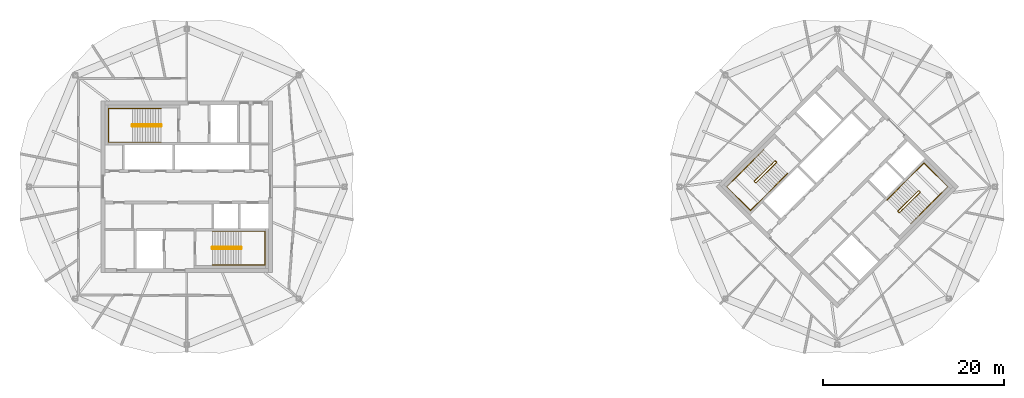
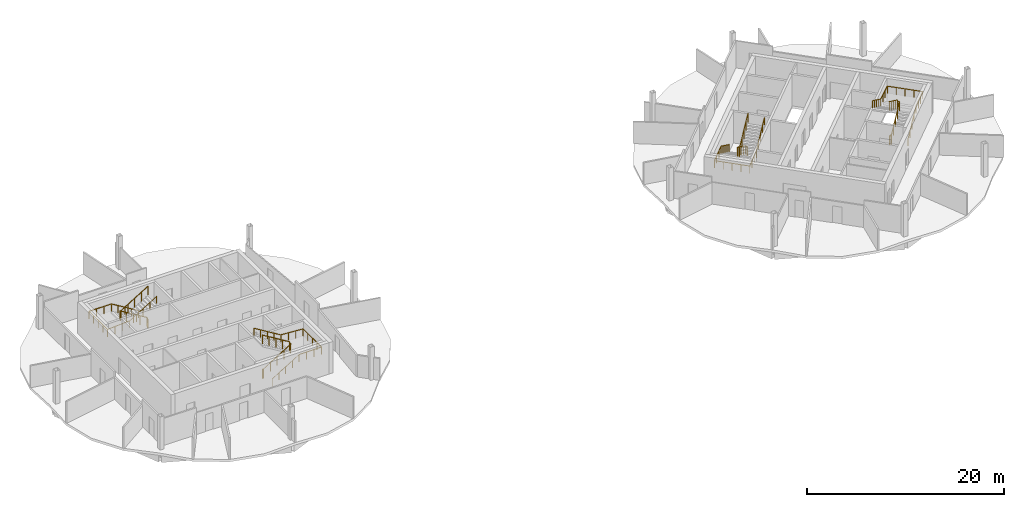
# One storey, part 11 of 11: 8 railings.
"""IFC4 building model written with IfcOpenShell, lengths in metres."""

from ifc_helpers import new_model, si_unit, direction, frame, origin, origin_2d, place, context, subcontext, project, spatial, circle, extrude, material, type_object, element, save


model = new_model("IFC4")

# Units and contexts
model_context = context("Model", 3, precision=1e-05, world=origin(), true_north=direction((0.0, 1.0)))
body_context = subcontext(model_context, "Body", "Model", "MODEL_VIEW")
ifc_project = project(units=[si_unit("LENGTHUNIT", "METRE"), si_unit("AREAUNIT", "SQUARE_METRE"), si_unit("VOLUMEUNIT", "CUBIC_METRE"), si_unit("PLANEANGLEUNIT", "RADIAN"), si_unit("MASSUNIT", "GRAM", prefix="KILO")], contexts=[model_context])

# Site, building, storey
site_placement = place(None, origin())
site = spatial("IfcSite", under=ifc_project, at=site_placement, CompositionType="ELEMENT")
building_placement = place(site_placement, origin())
building = spatial("IfcBuilding", under=site, at=building_placement, Name="Ogive Gate Towers", CompositionType="ELEMENT")
storey_placement = place(building_placement, frame((0.0, 0.0, 289.800048828125)))
storey = spatial("IfcBuildingStorey", under=building, at=storey_placement, Name="L68", CompositionType="ELEMENT", Elevation=289.800048828125)

# Railings
ifc_material = material(Name="Stainless steel", Category="steel")
railing_type_1 = type_object("IfcRailingType", Name="Stair guard 1100", PredefinedType="GUARDRAIL", material=ifc_material)
railing_1_placement = place(storey_placement, frame((-38.81494140625, 6.860107421875, 0.0)))
element("IfcRailing", 1, at=railing_1_placement, inside=storey, type_object=railing_type_1, Name="L68 ST1 stair guard 1", PredefinedType="GUARDRAIL", context=body_context, shape_type="SweptSolid", body=[
    extrude(circle(Radius=0.02392578125, at=origin_2d()), frame((0.0, 0.0, 1.076171875), z_axis=(0.0, -1.0, 0.0), x_axis=(1.0, 0.0, 0.0)), (0.0, 0.0, 1.0), 0.14501953125),
    extrude(circle(Radius=0.02392578125, at=origin_2d()), frame((0.0, -0.14501953125, 1.076171875), z_axis=(-0.187693211448, 0.730630159683, 0.656468451746), x_axis=(-0.968551454522, -0.24881334358, 0.0)), (0.0, 0.0, 1.0), 0.2666015625),
    extrude(circle(Radius=0.02392578125, at=origin_2d()), frame((-0.050048828125, 0.0498046875, 1.2509765625), z_axis=(-0.854229115434, 0.0, 0.519896738156), x_axis=(0.0, -1.0, 0.0)), (0.0, 0.0, 1.0), 3.702392578125),
    extrude(circle(Radius=0.02392578125, at=origin_2d()), frame((-3.212646484375, 0.0498046875, 3.17578125), z_axis=(-0.707106781187, -0.707106781187, 0.0), x_axis=(0.707106781187, -0.707106781187, 0.0)), (0.0, 0.0, 1.0), 0.0703125),
    extrude(circle(Radius=0.02392578125, at=origin_2d()), frame((-3.262451171875, 0.0, 3.17578125), z_axis=(0.0, -1.0, 0.0), x_axis=(1.0, 0.0, 0.0)), (0.0, 0.0, 1.0), 0.14501953125),
    extrude(circle(Radius=0.02392578125, at=origin_2d()), frame((-3.262451171875, -0.14501953125, 3.17578125), z_axis=(0.263862480399, -0.265155923931, 0.927399011991), x_axis=(0.708833529934, 0.705375805398, 0.0)), (0.0, 0.0, 1.0), 0.188720703125),
    extrude(circle(Radius=0.02392578125, at=origin_2d()), frame((-3.212646484375, -0.195068359375, 3.35107421875), z_axis=(0.854199828955, 0.0, 0.519944854973), x_axis=(0.0, 1.0, 0.0)), (0.0, 0.0, 1.0), 3.702392578125),
    extrude(circle(Radius=0.02099609375, at=origin_2d()), origin(), (0.0, 0.0, 1.0), 1.052001953125),
    extrude(circle(Radius=0.02099609375, at=origin_2d()), frame((0.0, -0.14501953125, 0.0)), (0.0, 0.0, 1.0), 1.052001953125),
    extrude(circle(Radius=0.02099609375, at=origin_2d()), frame((-0.050048828125, 0.0498046875, 0.175048828125)), (0.0, 0.0, 1.0), 1.052001953125),
    extrude(circle(Radius=0.02099609375, at=origin_2d()), frame((-0.8408203125, 0.0498046875, 0.65625)), (0.0, 0.0, 1.0), 1.052001953125),
    extrude(circle(Radius=0.02099609375, at=origin_2d()), frame((-1.63134765625, 0.0498046875, 1.137451171875)), (0.0, 0.0, 1.0), 1.052001953125),
    extrude(circle(Radius=0.02099609375, at=origin_2d()), frame((-2.421875, 0.0498046875, 1.61865234375)), (0.0, 0.0, 1.0), 1.052001953125),
    extrude(circle(Radius=0.02099609375, at=origin_2d()), frame((-3.212646484375, 0.0498046875, 2.099853515625)), (0.0, 0.0, 1.0), 1.052001953125),
    extrude(circle(Radius=0.02099609375, at=origin_2d()), frame((-3.262451171875, 0.0, 2.099853515625)), (0.0, 0.0, 1.0), 1.052001953125),
    extrude(circle(Radius=0.02099609375, at=origin_2d()), frame((-3.262451171875, -0.14501953125, 2.099853515625)), (0.0, 0.0, 1.0), 1.052001953125),
    extrude(circle(Radius=0.02099609375, at=origin_2d()), frame((-3.212646484375, -0.195068359375, 2.27490234375)), (0.0, 0.0, 1.0), 1.052001953125),
    extrude(circle(Radius=0.02099609375, at=origin_2d()), frame((-2.421875, -0.195068359375, 2.756103515625)), (0.0, 0.0, 1.0), 1.052001953125),
    extrude(circle(Radius=0.02099609375, at=origin_2d()), frame((-1.63134765625, -0.195068359375, 3.2373046875)), (0.0, 0.0, 1.0), 1.052001953125),
    extrude(circle(Radius=0.02099609375, at=origin_2d()), frame((-0.8408203125, -0.195068359375, 3.71875)), (0.0, 0.0, 1.0), 1.052001953125),
    extrude(circle(Radius=0.02099609375, at=origin_2d()), frame((-0.050048828125, -0.195068359375, 4.199951171875)), (0.0, 0.0, 1.0), 1.052001953125),
])
railing_2_placement = place(storey_placement, frame((-33.18505859375, -6.860107421875, 0.0)))
element("IfcRailing", 2, at=railing_2_placement, inside=storey, type_object=railing_type_1, Name="L68 ST2 stair guard 1", PredefinedType="GUARDRAIL", context=body_context, shape_type="SweptSolid", body=[
    extrude(circle(Radius=0.02392578125, at=origin_2d()), frame((0.0, 0.0, 1.076171875), z_axis=(0.0, 1.0, 0.0), x_axis=(-1.0, 0.0, 0.0)), (0.0, 0.0, 1.0), 0.14501953125),
    extrude(circle(Radius=0.02392578125, at=origin_2d()), frame((0.0, 0.14501953125, 1.076171875), z_axis=(0.187693211448, -0.730630159683, 0.656468451746), x_axis=(0.968551454522, 0.24881334358, 0.0)), (0.0, 0.0, 1.0), 0.2666015625),
    extrude(circle(Radius=0.02392578125, at=origin_2d()), frame((0.050048828125, -0.0498046875, 1.2509765625), z_axis=(0.854229115434, 0.0, 0.519896738156), x_axis=(0.0, 1.0, 0.0)), (0.0, 0.0, 1.0), 3.702392578125),
    extrude(circle(Radius=0.02392578125, at=origin_2d()), frame((3.212646484375, -0.0498046875, 3.17578125), z_axis=(0.707106781187, 0.707106781187, 0.0), x_axis=(-0.707106781187, 0.707106781187, 0.0)), (0.0, 0.0, 1.0), 0.0703125),
    extrude(circle(Radius=0.02392578125, at=origin_2d()), frame((3.262451171875, 0.0, 3.17578125), z_axis=(0.0, 1.0, 0.0), x_axis=(-1.0, 0.0, 0.0)), (0.0, 0.0, 1.0), 0.14501953125),
    extrude(circle(Radius=0.02392578125, at=origin_2d()), frame((3.262451171875, 0.14501953125, 3.17578125), z_axis=(-0.263862480399, 0.265155923931, 0.927399011991), x_axis=(-0.708833529934, -0.705375805398, 0.0)), (0.0, 0.0, 1.0), 0.188720703125),
    extrude(circle(Radius=0.02392578125, at=origin_2d()), frame((3.212646484375, 0.195068359375, 3.35107421875), z_axis=(-0.854199828955, 0.0, 0.519944854973), x_axis=(0.0, -1.0, 0.0)), (0.0, 0.0, 1.0), 3.702392578125),
    extrude(circle(Radius=0.02099609375, at=origin_2d()), origin(), (0.0, 0.0, 1.0), 1.052001953125),
    extrude(circle(Radius=0.02099609375, at=origin_2d()), frame((0.0, 0.14501953125, 0.0)), (0.0, 0.0, 1.0), 1.052001953125),
    extrude(circle(Radius=0.02099609375, at=origin_2d()), frame((0.050048828125, -0.0498046875, 0.175048828125)), (0.0, 0.0, 1.0), 1.052001953125),
    extrude(circle(Radius=0.02099609375, at=origin_2d()), frame((0.8408203125, -0.0498046875, 0.65625)), (0.0, 0.0, 1.0), 1.052001953125),
    extrude(circle(Radius=0.02099609375, at=origin_2d()), frame((1.63134765625, -0.0498046875, 1.137451171875)), (0.0, 0.0, 1.0), 1.052001953125),
    extrude(circle(Radius=0.02099609375, at=origin_2d()), frame((2.421875, -0.0498046875, 1.61865234375)), (0.0, 0.0, 1.0), 1.052001953125),
    extrude(circle(Radius=0.02099609375, at=origin_2d()), frame((3.212646484375, -0.0498046875, 2.099853515625)), (0.0, 0.0, 1.0), 1.052001953125),
    extrude(circle(Radius=0.02099609375, at=origin_2d()), frame((3.262451171875, 0.0, 2.099853515625)), (0.0, 0.0, 1.0), 1.052001953125),
    extrude(circle(Radius=0.02099609375, at=origin_2d()), frame((3.262451171875, 0.14501953125, 2.099853515625)), (0.0, 0.0, 1.0), 1.052001953125),
    extrude(circle(Radius=0.02099609375, at=origin_2d()), frame((3.212646484375, 0.195068359375, 2.27490234375)), (0.0, 0.0, 1.0), 1.052001953125),
    extrude(circle(Radius=0.02099609375, at=origin_2d()), frame((2.421875, 0.195068359375, 2.756103515625)), (0.0, 0.0, 1.0), 1.052001953125),
    extrude(circle(Radius=0.02099609375, at=origin_2d()), frame((1.63134765625, 0.195068359375, 3.2373046875)), (0.0, 0.0, 1.0), 1.052001953125),
    extrude(circle(Radius=0.02099609375, at=origin_2d()), frame((0.8408203125, 0.195068359375, 3.71875)), (0.0, 0.0, 1.0), 1.052001953125),
    extrude(circle(Radius=0.02099609375, at=origin_2d()), frame((0.050048828125, 0.195068359375, 4.199951171875)), (0.0, 0.0, 1.0), 1.052001953125),
])
railing_3_placement = place(storey_placement, frame((29.15869140625, 2.8603515625, 0.0)))
element("IfcRailing", 3, at=railing_3_placement, inside=storey, type_object=railing_type_1, Name="L68 ST1 stair guard 1", PredefinedType="GUARDRAIL", context=body_context, shape_type="SweptSolid", body=[
    extrude(circle(Radius=0.02392578125, at=origin_2d()), frame((0.0, 0.0, 1.076171875), z_axis=(0.707106781187, -0.707106781187, 0.0), x_axis=(0.707106781187, 0.707106781187, 0.0)), (0.0, 0.0, 1.0), 0.14501953125),
    extrude(circle(Radius=0.02392578125, at=origin_2d()), frame((0.1025390625, -0.1025390625, 1.076171875), z_axis=(-0.649075284728, 0.384501579105, 0.65639912433), x_axis=(-0.509669330572, -0.860370369942, 0.0)), (0.0, 0.0, 1.0), 0.2666015625),
    extrude(circle(Radius=0.02392578125, at=origin_2d()), frame((-0.070556640625, 0.0, 1.2509765625), z_axis=(-0.604033673362, -0.604033673362, 0.519890991352), x_axis=(0.707106781187, -0.707106781187, 0.0)), (0.0, 0.0, 1.0), 3.702392578125),
    extrude(circle(Radius=0.02392578125, at=origin_2d()), frame((-2.306884765625, -2.236328125, 3.17578125), z_axis=(0.0, -1.0, 0.0), x_axis=(1.0, 0.0, 0.0)), (0.0, 0.0, 1.0), 0.07080078125),
    extrude(circle(Radius=0.02392578125, at=origin_2d()), frame((-2.306884765625, -2.30712890625, 3.17578125), z_axis=(0.707106781187, -0.707106781187, 0.0), x_axis=(0.707106781187, 0.707106781187, 0.0)), (0.0, 0.0, 1.0), 0.14501953125),
    extrude(circle(Radius=0.02392578125, at=origin_2d()), frame((-2.204345703125, -2.40966796875, 3.17578125), z_axis=(0.374954686889, 0.0, 0.927043139654), x_axis=(0.0, 1.0, 0.0)), (0.0, 0.0, 1.0), 0.188720703125),
    extrude(circle(Radius=0.02392578125, at=origin_2d()), frame((-2.133544921875, -2.40966796875, 3.35107421875), z_axis=(0.603971079388, 0.604037022294, 0.51995981668), x_axis=(-0.707145379772, 0.707068180494, 0.0)), (0.0, 0.0, 1.0), 3.702392578125),
    extrude(circle(Radius=0.02099609375, at=origin_2d()), origin(), (0.0, 0.0, 1.0), 1.052001953125),
    extrude(circle(Radius=0.02099609375, at=origin_2d()), frame((0.1025390625, -0.1025390625, 0.0)), (0.0, 0.0, 1.0), 1.052001953125),
    extrude(circle(Radius=0.02099609375, at=origin_2d()), frame((-0.070556640625, 0.0, 0.175048828125)), (0.0, 0.0, 1.0), 1.052001953125),
    extrude(circle(Radius=0.02099609375, at=origin_2d()), frame((-0.629638671875, -0.55908203125, 0.65625)), (0.0, 0.0, 1.0), 1.052001953125),
    extrude(circle(Radius=0.02099609375, at=origin_2d()), frame((-1.188720703125, -1.1181640625, 1.137451171875)), (0.0, 0.0, 1.0), 1.052001953125),
    extrude(circle(Radius=0.02099609375, at=origin_2d()), frame((-1.747802734375, -1.67724609375, 1.61865234375)), (0.0, 0.0, 1.0), 1.052001953125),
    extrude(circle(Radius=0.02099609375, at=origin_2d()), frame((-2.306884765625, -2.236328125, 2.099853515625)), (0.0, 0.0, 1.0), 1.052001953125),
    extrude(circle(Radius=0.02099609375, at=origin_2d()), frame((-2.306884765625, -2.30712890625, 2.099853515625)), (0.0, 0.0, 1.0), 1.052001953125),
    extrude(circle(Radius=0.02099609375, at=origin_2d()), frame((-2.204345703125, -2.40966796875, 2.099853515625)), (0.0, 0.0, 1.0), 1.052001953125),
    extrude(circle(Radius=0.02099609375, at=origin_2d()), frame((-2.133544921875, -2.40966796875, 2.27490234375)), (0.0, 0.0, 1.0), 1.052001953125),
    extrude(circle(Radius=0.02099609375, at=origin_2d()), frame((-1.574462890625, -1.8505859375, 2.756103515625)), (0.0, 0.0, 1.0), 1.052001953125),
    extrude(circle(Radius=0.02099609375, at=origin_2d()), frame((-1.015625, -1.29150390625, 3.2373046875)), (0.0, 0.0, 1.0), 1.052001953125),
    extrude(circle(Radius=0.02099609375, at=origin_2d()), frame((-0.45654296875, -0.732421875, 3.71875)), (0.0, 0.0, 1.0), 1.052001953125),
    extrude(circle(Radius=0.02099609375, at=origin_2d()), frame((0.1025390625, -0.17333984375, 4.199951171875)), (0.0, 0.0, 1.0), 1.052001953125),
])
railing_4_placement = place(storey_placement, frame((42.84130859375, -2.8603515625, 0.0)))
element("IfcRailing", 4, at=railing_4_placement, inside=storey, type_object=railing_type_1, Name="L68 ST2 stair guard 1", PredefinedType="GUARDRAIL", context=body_context, shape_type="SweptSolid", body=[
    extrude(circle(Radius=0.02392578125, at=origin_2d()), frame((0.0, 0.0, 1.076171875), z_axis=(-0.707106781187, 0.707106781187, 0.0), x_axis=(-0.707106781187, -0.707106781187, 0.0)), (0.0, 0.0, 1.0), 0.14501953125),
    extrude(circle(Radius=0.02392578125, at=origin_2d()), frame((-0.1025390625, 0.1025390625, 1.076171875), z_axis=(0.649075284728, -0.384501579105, 0.65639912433), x_axis=(0.509669330572, 0.860370369942, 0.0)), (0.0, 0.0, 1.0), 0.2666015625),
    extrude(circle(Radius=0.02392578125, at=origin_2d()), frame((0.070556640625, 0.0, 1.2509765625), z_axis=(0.604033673362, 0.604033673362, 0.519890991352), x_axis=(-0.707106781187, 0.707106781187, 0.0)), (0.0, 0.0, 1.0), 3.702392578125),
    extrude(circle(Radius=0.02392578125, at=origin_2d()), frame((2.306884765625, 2.236328125, 3.17578125), z_axis=(0.0, 1.0, 0.0), x_axis=(-1.0, 0.0, 0.0)), (0.0, 0.0, 1.0), 0.07080078125),
    extrude(circle(Radius=0.02392578125, at=origin_2d()), frame((2.306884765625, 2.30712890625, 3.17578125), z_axis=(-0.707106781187, 0.707106781187, 0.0), x_axis=(-0.707106781187, -0.707106781187, 0.0)), (0.0, 0.0, 1.0), 0.14501953125),
    extrude(circle(Radius=0.02392578125, at=origin_2d()), frame((2.204345703125, 2.40966796875, 3.17578125), z_axis=(-0.374954686889, 0.0, 0.927043139654), x_axis=(0.0, -1.0, 0.0)), (0.0, 0.0, 1.0), 0.188720703125),
    extrude(circle(Radius=0.02392578125, at=origin_2d()), frame((2.133544921875, 2.40966796875, 3.35107421875), z_axis=(-0.603971079388, -0.604037022294, 0.51995981668), x_axis=(0.707145379772, -0.707068180494, 0.0)), (0.0, 0.0, 1.0), 3.702392578125),
    extrude(circle(Radius=0.02099609375, at=origin_2d()), origin(), (0.0, 0.0, 1.0), 1.052001953125),
    extrude(circle(Radius=0.02099609375, at=origin_2d()), frame((-0.1025390625, 0.1025390625, 0.0)), (0.0, 0.0, 1.0), 1.052001953125),
    extrude(circle(Radius=0.02099609375, at=origin_2d()), frame((0.070556640625, 0.0, 0.175048828125)), (0.0, 0.0, 1.0), 1.052001953125),
    extrude(circle(Radius=0.02099609375, at=origin_2d()), frame((0.629638671875, 0.55908203125, 0.65625)), (0.0, 0.0, 1.0), 1.052001953125),
    extrude(circle(Radius=0.02099609375, at=origin_2d()), frame((1.188720703125, 1.1181640625, 1.137451171875)), (0.0, 0.0, 1.0), 1.052001953125),
    extrude(circle(Radius=0.02099609375, at=origin_2d()), frame((1.747802734375, 1.67724609375, 1.61865234375)), (0.0, 0.0, 1.0), 1.052001953125),
    extrude(circle(Radius=0.02099609375, at=origin_2d()), frame((2.306884765625, 2.236328125, 2.099853515625)), (0.0, 0.0, 1.0), 1.052001953125),
    extrude(circle(Radius=0.02099609375, at=origin_2d()), frame((2.306884765625, 2.30712890625, 2.099853515625)), (0.0, 0.0, 1.0), 1.052001953125),
    extrude(circle(Radius=0.02099609375, at=origin_2d()), frame((2.204345703125, 2.40966796875, 2.099853515625)), (0.0, 0.0, 1.0), 1.052001953125),
    extrude(circle(Radius=0.02099609375, at=origin_2d()), frame((2.133544921875, 2.40966796875, 2.27490234375)), (0.0, 0.0, 1.0), 1.052001953125),
    extrude(circle(Radius=0.02099609375, at=origin_2d()), frame((1.574462890625, 1.8505859375, 2.756103515625)), (0.0, 0.0, 1.0), 1.052001953125),
    extrude(circle(Radius=0.02099609375, at=origin_2d()), frame((1.015625, 1.29150390625, 3.2373046875)), (0.0, 0.0, 1.0), 1.052001953125),
    extrude(circle(Radius=0.02099609375, at=origin_2d()), frame((0.45654296875, 0.732421875, 3.71875)), (0.0, 0.0, 1.0), 1.052001953125),
    extrude(circle(Radius=0.02099609375, at=origin_2d()), frame((-0.1025390625, 0.17333984375, 4.199951171875)), (0.0, 0.0, 1.0), 1.052001953125),
])
railing_type_2 = type_object("IfcRailingType", Name="Stair handrail 900", PredefinedType="HANDRAIL", material=ifc_material)
railing_5_placement = place(storey_placement, frame((-38.864990234375, 8.64990234375, 0.175048828125)))
element("IfcRailing", 5, at=railing_5_placement, inside=storey, type_object=railing_type_2, Name="L68 ST1 stair handrail 1", PredefinedType="HANDRAIL", context=body_context, shape_type="SweptSolid", body=[
    extrude(circle(Radius=0.02392578125, at=origin_2d()), frame((0.0, 0.0, 0.8759765625), z_axis=(-0.854229115434, 0.0, 0.519896738156), x_axis=(0.0, -1.0, 0.0)), (0.0, 0.0, 1.0), 3.702392578125),
    extrude(circle(Radius=0.02392578125, at=origin_2d()), frame((-3.16259765625, 0.0, 2.80078125), z_axis=(-1.0, 0.0, 0.0), x_axis=(0.0, -1.0, 0.0)), (0.0, 0.0, 1.0), 2.622314453125),
    extrude(circle(Radius=0.02392578125, at=origin_2d()), frame((-5.784912109375, 0.0, 2.80078125), z_axis=(0.0, -1.0, 0.0), x_axis=(1.0, 0.0, 0.0)), (0.0, 0.0, 1.0), 3.724853515625),
    extrude(circle(Radius=0.02392578125, at=origin_2d()), frame((-5.784912109375, -3.724853515625, 2.80078125), z_axis=(0.997779399599, 0.0, 0.066605328136), x_axis=(0.0, 1.0, 0.0)), (0.0, 0.0, 1.0), 2.628173828125),
    extrude(circle(Radius=0.02392578125, at=origin_2d()), frame((-3.16259765625, -3.724853515625, 2.9755859375), z_axis=(0.854199828955, 0.0, 0.519944854973), x_axis=(0.0, 1.0, 0.0)), (0.0, 0.0, 1.0), 3.702392578125),
    extrude(circle(Radius=0.02099609375, at=origin_2d()), origin(), (0.0, 0.0, 1.0), 0.851806640625),
    extrude(circle(Radius=0.02099609375, at=origin_2d()), frame((-0.79052734375, 0.0, 0.481201171875)), (0.0, 0.0, 1.0), 0.851806640625),
    extrude(circle(Radius=0.02099609375, at=origin_2d()), frame((-1.581298828125, 0.0, 0.96240234375)), (0.0, 0.0, 1.0), 0.851806640625),
    extrude(circle(Radius=0.02099609375, at=origin_2d()), frame((-2.3720703125, 0.0, 1.443603515625)), (0.0, 0.0, 1.0), 0.851806640625),
    extrude(circle(Radius=0.02099609375, at=origin_2d()), frame((-3.16259765625, 0.0, 1.9248046875)), (0.0, 0.0, 1.0), 0.851806640625),
    extrude(circle(Radius=0.02099609375, at=origin_2d()), frame((-4.03662109375, 0.0, 1.9248046875)), (0.0, 0.0, 1.0), 0.851806640625),
    extrude(circle(Radius=0.02099609375, at=origin_2d()), frame((-4.910888671875, 0.0, 1.9248046875)), (0.0, 0.0, 1.0), 0.851806640625),
    extrude(circle(Radius=0.02099609375, at=origin_2d()), frame((-5.784912109375, 0.0, 1.9248046875)), (0.0, 0.0, 1.0), 0.851806640625),
    extrude(circle(Radius=0.02099609375, at=origin_2d()), frame((-5.784912109375, -0.93115234375, 1.9248046875)), (0.0, 0.0, 1.0), 0.851806640625),
    extrude(circle(Radius=0.02099609375, at=origin_2d()), frame((-5.784912109375, -1.8623046875, 1.9248046875)), (0.0, 0.0, 1.0), 0.851806640625),
    extrude(circle(Radius=0.02099609375, at=origin_2d()), frame((-5.784912109375, -2.793701171875, 1.9248046875)), (0.0, 0.0, 1.0), 0.851806640625),
    extrude(circle(Radius=0.02099609375, at=origin_2d()), frame((-5.784912109375, -3.724853515625, 1.9248046875)), (0.0, 0.0, 1.0), 0.851806640625),
    extrude(circle(Radius=0.02099609375, at=origin_2d()), frame((-4.910888671875, -3.724853515625, 1.983154296875)), (0.0, 0.0, 1.0), 0.851806640625),
    extrude(circle(Radius=0.02099609375, at=origin_2d()), frame((-4.03662109375, -3.724853515625, 2.04150390625)), (0.0, 0.0, 1.0), 0.851806640625),
    extrude(circle(Radius=0.02099609375, at=origin_2d()), frame((-3.16259765625, -3.724853515625, 2.099853515625)), (0.0, 0.0, 1.0), 0.851806640625),
    extrude(circle(Radius=0.02099609375, at=origin_2d()), frame((-2.3720703125, -3.724853515625, 2.5810546875)), (0.0, 0.0, 1.0), 0.851806640625),
    extrude(circle(Radius=0.02099609375, at=origin_2d()), frame((-1.581298828125, -3.724853515625, 3.0625)), (0.0, 0.0, 1.0), 0.851806640625),
    extrude(circle(Radius=0.02099609375, at=origin_2d()), frame((-0.79052734375, -3.724853515625, 3.543701171875)), (0.0, 0.0, 1.0), 0.851806640625),
    extrude(circle(Radius=0.02099609375, at=origin_2d()), frame((0.0, -3.724853515625, 4.02490234375)), (0.0, 0.0, 1.0), 0.851806640625),
])
railing_6_placement = place(storey_placement, frame((-33.135009765625, -8.64990234375, 0.175048828125)))
element("IfcRailing", 6, at=railing_6_placement, inside=storey, type_object=railing_type_2, Name="L68 ST2 stair handrail 1", PredefinedType="HANDRAIL", context=body_context, shape_type="SweptSolid", body=[
    extrude(circle(Radius=0.02392578125, at=origin_2d()), frame((0.0, 0.0, 0.8759765625), z_axis=(0.854229115434, 0.0, 0.519896738156), x_axis=(0.0, 1.0, 0.0)), (0.0, 0.0, 1.0), 3.702392578125),
    extrude(circle(Radius=0.02392578125, at=origin_2d()), frame((3.16259765625, 0.0, 2.80078125), z_axis=(1.0, 0.0, 0.0), x_axis=(0.0, 1.0, 0.0)), (0.0, 0.0, 1.0), 2.622314453125),
    extrude(circle(Radius=0.02392578125, at=origin_2d()), frame((5.784912109375, 0.0, 2.80078125), z_axis=(0.0, 1.0, 0.0), x_axis=(-1.0, 0.0, 0.0)), (0.0, 0.0, 1.0), 3.724853515625),
    extrude(circle(Radius=0.02392578125, at=origin_2d()), frame((5.784912109375, 3.724853515625, 2.80078125), z_axis=(-0.997779399599, 0.0, 0.066605328136), x_axis=(0.0, -1.0, 0.0)), (0.0, 0.0, 1.0), 2.628173828125),
    extrude(circle(Radius=0.02392578125, at=origin_2d()), frame((3.16259765625, 3.724853515625, 2.9755859375), z_axis=(-0.854199828955, 0.0, 0.519944854973), x_axis=(0.0, -1.0, 0.0)), (0.0, 0.0, 1.0), 3.702392578125),
    extrude(circle(Radius=0.02099609375, at=origin_2d()), origin(), (0.0, 0.0, 1.0), 0.851806640625),
    extrude(circle(Radius=0.02099609375, at=origin_2d()), frame((0.79052734375, 0.0, 0.481201171875)), (0.0, 0.0, 1.0), 0.851806640625),
    extrude(circle(Radius=0.02099609375, at=origin_2d()), frame((1.581298828125, 0.0, 0.96240234375)), (0.0, 0.0, 1.0), 0.851806640625),
    extrude(circle(Radius=0.02099609375, at=origin_2d()), frame((2.3720703125, 0.0, 1.443603515625)), (0.0, 0.0, 1.0), 0.851806640625),
    extrude(circle(Radius=0.02099609375, at=origin_2d()), frame((3.16259765625, 0.0, 1.9248046875)), (0.0, 0.0, 1.0), 0.851806640625),
    extrude(circle(Radius=0.02099609375, at=origin_2d()), frame((4.03662109375, 0.0, 1.9248046875)), (0.0, 0.0, 1.0), 0.851806640625),
    extrude(circle(Radius=0.02099609375, at=origin_2d()), frame((4.910888671875, 0.0, 1.9248046875)), (0.0, 0.0, 1.0), 0.851806640625),
    extrude(circle(Radius=0.02099609375, at=origin_2d()), frame((5.784912109375, 0.0, 1.9248046875)), (0.0, 0.0, 1.0), 0.851806640625),
    extrude(circle(Radius=0.02099609375, at=origin_2d()), frame((5.784912109375, 0.93115234375, 1.9248046875)), (0.0, 0.0, 1.0), 0.851806640625),
    extrude(circle(Radius=0.02099609375, at=origin_2d()), frame((5.784912109375, 1.8623046875, 1.9248046875)), (0.0, 0.0, 1.0), 0.851806640625),
    extrude(circle(Radius=0.02099609375, at=origin_2d()), frame((5.784912109375, 2.793701171875, 1.9248046875)), (0.0, 0.0, 1.0), 0.851806640625),
    extrude(circle(Radius=0.02099609375, at=origin_2d()), frame((5.784912109375, 3.724853515625, 1.9248046875)), (0.0, 0.0, 1.0), 0.851806640625),
    extrude(circle(Radius=0.02099609375, at=origin_2d()), frame((4.910888671875, 3.724853515625, 1.983154296875)), (0.0, 0.0, 1.0), 0.851806640625),
    extrude(circle(Radius=0.02099609375, at=origin_2d()), frame((4.03662109375, 3.724853515625, 2.04150390625)), (0.0, 0.0, 1.0), 0.851806640625),
    extrude(circle(Radius=0.02099609375, at=origin_2d()), frame((3.16259765625, 3.724853515625, 2.099853515625)), (0.0, 0.0, 1.0), 0.851806640625),
    extrude(circle(Radius=0.02099609375, at=origin_2d()), frame((2.3720703125, 3.724853515625, 2.5810546875)), (0.0, 0.0, 1.0), 0.851806640625),
    extrude(circle(Radius=0.02099609375, at=origin_2d()), frame((1.581298828125, 3.724853515625, 3.0625)), (0.0, 0.0, 1.0), 0.851806640625),
    extrude(circle(Radius=0.02099609375, at=origin_2d()), frame((0.79052734375, 3.724853515625, 3.543701171875)), (0.0, 0.0, 1.0), 0.851806640625),
    extrude(circle(Radius=0.02099609375, at=origin_2d()), frame((0.0, 3.724853515625, 4.02490234375)), (0.0, 0.0, 1.0), 0.851806640625),
])
railing_7_placement = place(storey_placement, frame((27.857666015625, 4.090576171875, 0.175048828125)))
element("IfcRailing", 7, at=railing_7_placement, inside=storey, type_object=railing_type_2, Name="L68 ST1 stair handrail 1", PredefinedType="HANDRAIL", context=body_context, shape_type="SweptSolid", body=[
    extrude(circle(Radius=0.02392578125, at=origin_2d()), frame((0.0, 0.0, 0.8759765625), z_axis=(-0.604057733063, -0.603991787895, 0.519911699505), x_axis=(0.707068180494, -0.707145379772, 0.0)), (0.0, 0.0, 1.0), 3.7021484375),
    extrude(circle(Radius=0.02392578125, at=origin_2d()), frame((-2.236328125, -2.236083984375, 2.80078125), z_axis=(-0.70706023191, -0.707153327399, 0.0), x_axis=(0.707153327399, -0.70706023191, 0.0)), (0.0, 0.0, 1.0), 2.62255859375),
    extrude(circle(Radius=0.02392578125, at=origin_2d()), frame((-4.090576171875, -4.090576171875, 2.80078125), z_axis=(0.707106781187, -0.707106781187, 0.0), x_axis=(0.707106781187, 0.707106781187, 0.0)), (0.0, 0.0, 1.0), 3.72509765625),
    extrude(circle(Radius=0.02392578125, at=origin_2d()), frame((-1.45654296875, -6.724609375, 2.80078125), z_axis=(0.705490325719, 0.705583214505, 0.066601259189), x_axis=(-0.707153327399, 0.70706023191, 0.0)), (0.0, 0.0, 1.0), 2.62841796875),
    extrude(circle(Radius=0.02392578125, at=origin_2d()), frame((0.397705078125, -4.8701171875, 2.9755859375), z_axis=(0.604037022294, 0.603971079388, 0.51995981668), x_axis=(-0.707068180494, 0.707145379772, 0.0)), (0.0, 0.0, 1.0), 3.702392578125),
    extrude(circle(Radius=0.02099609375, at=origin_2d()), origin(), (0.0, 0.0, 1.0), 0.851806640625),
    extrude(circle(Radius=0.02099609375, at=origin_2d()), frame((-0.55908203125, -0.55908203125, 0.481201171875)), (0.0, 0.0, 1.0), 0.851806640625),
    extrude(circle(Radius=0.02099609375, at=origin_2d()), frame((-1.1181640625, -1.1181640625, 0.96240234375)), (0.0, 0.0, 1.0), 0.851806640625),
    extrude(circle(Radius=0.02099609375, at=origin_2d()), frame((-1.67724609375, -1.677001953125, 1.443603515625)), (0.0, 0.0, 1.0), 0.851806640625),
    extrude(circle(Radius=0.02099609375, at=origin_2d()), frame((-2.236328125, -2.236083984375, 1.9248046875)), (0.0, 0.0, 1.0), 0.851806640625),
    extrude(circle(Radius=0.02099609375, at=origin_2d()), frame((-2.8544921875, -2.854248046875, 1.9248046875)), (0.0, 0.0, 1.0), 0.851806640625),
    extrude(circle(Radius=0.02099609375, at=origin_2d()), frame((-3.472412109375, -3.472412109375, 1.9248046875)), (0.0, 0.0, 1.0), 0.851806640625),
    extrude(circle(Radius=0.02099609375, at=origin_2d()), frame((-4.090576171875, -4.090576171875, 1.9248046875)), (0.0, 0.0, 1.0), 0.851806640625),
    extrude(circle(Radius=0.02099609375, at=origin_2d()), frame((-3.43212890625, -4.7490234375, 1.9248046875)), (0.0, 0.0, 1.0), 0.851806640625),
    extrude(circle(Radius=0.02099609375, at=origin_2d()), frame((-2.7734375, -5.40771484375, 1.9248046875)), (0.0, 0.0, 1.0), 0.851806640625),
    extrude(circle(Radius=0.02099609375, at=origin_2d()), frame((-2.114990234375, -6.066162109375, 1.9248046875)), (0.0, 0.0, 1.0), 0.851806640625),
    extrude(circle(Radius=0.02099609375, at=origin_2d()), frame((-1.45654296875, -6.724609375, 1.9248046875)), (0.0, 0.0, 1.0), 0.851806640625),
    extrude(circle(Radius=0.02099609375, at=origin_2d()), frame((-0.83837890625, -6.1064453125, 1.983154296875)), (0.0, 0.0, 1.0), 0.851806640625),
    extrude(circle(Radius=0.02099609375, at=origin_2d()), frame((-0.220458984375, -5.48828125, 2.04150390625)), (0.0, 0.0, 1.0), 0.851806640625),
    extrude(circle(Radius=0.02099609375, at=origin_2d()), frame((0.397705078125, -4.8701171875, 2.099853515625)), (0.0, 0.0, 1.0), 0.851806640625),
    extrude(circle(Radius=0.02099609375, at=origin_2d()), frame((0.956787109375, -4.31103515625, 2.5810546875)), (0.0, 0.0, 1.0), 0.851806640625),
    extrude(circle(Radius=0.02099609375, at=origin_2d()), frame((1.515869140625, -3.751953125, 3.0625)), (0.0, 0.0, 1.0), 0.851806640625),
    extrude(circle(Radius=0.02099609375, at=origin_2d()), frame((2.074951171875, -3.193115234375, 3.543701171875)), (0.0, 0.0, 1.0), 0.851806640625),
    extrude(circle(Radius=0.02099609375, at=origin_2d()), frame((2.634033203125, -2.634033203125, 4.02490234375)), (0.0, 0.0, 1.0), 0.851806640625),
])
railing_8_placement = place(storey_placement, frame((44.142333984375, -4.090576171875, 0.175048828125)))
element("IfcRailing", 8, at=railing_8_placement, inside=storey, type_object=railing_type_2, Name="L68 ST2 stair handrail 1", PredefinedType="HANDRAIL", context=body_context, shape_type="SweptSolid", body=[
    extrude(circle(Radius=0.02392578125, at=origin_2d()), frame((0.0, 0.0, 0.8759765625), z_axis=(0.604057733063, 0.603991787895, 0.519911699505), x_axis=(-0.707068180494, 0.707145379772, 0.0)), (0.0, 0.0, 1.0), 3.7021484375),
    extrude(circle(Radius=0.02392578125, at=origin_2d()), frame((2.236328125, 2.236083984375, 2.80078125), z_axis=(0.70706023191, 0.707153327399, 0.0), x_axis=(-0.707153327399, 0.70706023191, 0.0)), (0.0, 0.0, 1.0), 2.62255859375),
    extrude(circle(Radius=0.02392578125, at=origin_2d()), frame((4.090576171875, 4.090576171875, 2.80078125), z_axis=(-0.707106781187, 0.707106781187, 0.0), x_axis=(-0.707106781187, -0.707106781187, 0.0)), (0.0, 0.0, 1.0), 3.72509765625),
    extrude(circle(Radius=0.02392578125, at=origin_2d()), frame((1.45654296875, 6.724609375, 2.80078125), z_axis=(-0.705490325719, -0.705583214505, 0.066601259189), x_axis=(0.707153327399, -0.70706023191, 0.0)), (0.0, 0.0, 1.0), 2.62841796875),
    extrude(circle(Radius=0.02392578125, at=origin_2d()), frame((-0.397705078125, 4.8701171875, 2.9755859375), z_axis=(-0.604037022294, -0.603971079388, 0.51995981668), x_axis=(0.707068180494, -0.707145379772, 0.0)), (0.0, 0.0, 1.0), 3.702392578125),
    extrude(circle(Radius=0.02099609375, at=origin_2d()), origin(), (0.0, 0.0, 1.0), 0.851806640625),
    extrude(circle(Radius=0.02099609375, at=origin_2d()), frame((0.55908203125, 0.55908203125, 0.481201171875)), (0.0, 0.0, 1.0), 0.851806640625),
    extrude(circle(Radius=0.02099609375, at=origin_2d()), frame((1.1181640625, 1.1181640625, 0.96240234375)), (0.0, 0.0, 1.0), 0.851806640625),
    extrude(circle(Radius=0.02099609375, at=origin_2d()), frame((1.67724609375, 1.677001953125, 1.443603515625)), (0.0, 0.0, 1.0), 0.851806640625),
    extrude(circle(Radius=0.02099609375, at=origin_2d()), frame((2.236328125, 2.236083984375, 1.9248046875)), (0.0, 0.0, 1.0), 0.851806640625),
    extrude(circle(Radius=0.02099609375, at=origin_2d()), frame((2.8544921875, 2.854248046875, 1.9248046875)), (0.0, 0.0, 1.0), 0.851806640625),
    extrude(circle(Radius=0.02099609375, at=origin_2d()), frame((3.472412109375, 3.472412109375, 1.9248046875)), (0.0, 0.0, 1.0), 0.851806640625),
    extrude(circle(Radius=0.02099609375, at=origin_2d()), frame((4.090576171875, 4.090576171875, 1.9248046875)), (0.0, 0.0, 1.0), 0.851806640625),
    extrude(circle(Radius=0.02099609375, at=origin_2d()), frame((3.43212890625, 4.7490234375, 1.9248046875)), (0.0, 0.0, 1.0), 0.851806640625),
    extrude(circle(Radius=0.02099609375, at=origin_2d()), frame((2.7734375, 5.40771484375, 1.9248046875)), (0.0, 0.0, 1.0), 0.851806640625),
    extrude(circle(Radius=0.02099609375, at=origin_2d()), frame((2.114990234375, 6.066162109375, 1.9248046875)), (0.0, 0.0, 1.0), 0.851806640625),
    extrude(circle(Radius=0.02099609375, at=origin_2d()), frame((1.45654296875, 6.724609375, 1.9248046875)), (0.0, 0.0, 1.0), 0.851806640625),
    extrude(circle(Radius=0.02099609375, at=origin_2d()), frame((0.83837890625, 6.1064453125, 1.983154296875)), (0.0, 0.0, 1.0), 0.851806640625),
    extrude(circle(Radius=0.02099609375, at=origin_2d()), frame((0.220458984375, 5.48828125, 2.04150390625)), (0.0, 0.0, 1.0), 0.851806640625),
    extrude(circle(Radius=0.02099609375, at=origin_2d()), frame((-0.397705078125, 4.8701171875, 2.099853515625)), (0.0, 0.0, 1.0), 0.851806640625),
    extrude(circle(Radius=0.02099609375, at=origin_2d()), frame((-0.956787109375, 4.31103515625, 2.5810546875)), (0.0, 0.0, 1.0), 0.851806640625),
    extrude(circle(Radius=0.02099609375, at=origin_2d()), frame((-1.515869140625, 3.751953125, 3.0625)), (0.0, 0.0, 1.0), 0.851806640625),
    extrude(circle(Radius=0.02099609375, at=origin_2d()), frame((-2.074951171875, 3.193115234375, 3.543701171875)), (0.0, 0.0, 1.0), 0.851806640625),
    extrude(circle(Radius=0.02099609375, at=origin_2d()), frame((-2.634033203125, 2.634033203125, 4.02490234375)), (0.0, 0.0, 1.0), 0.851806640625),
])

save(model, "model.ifc")
